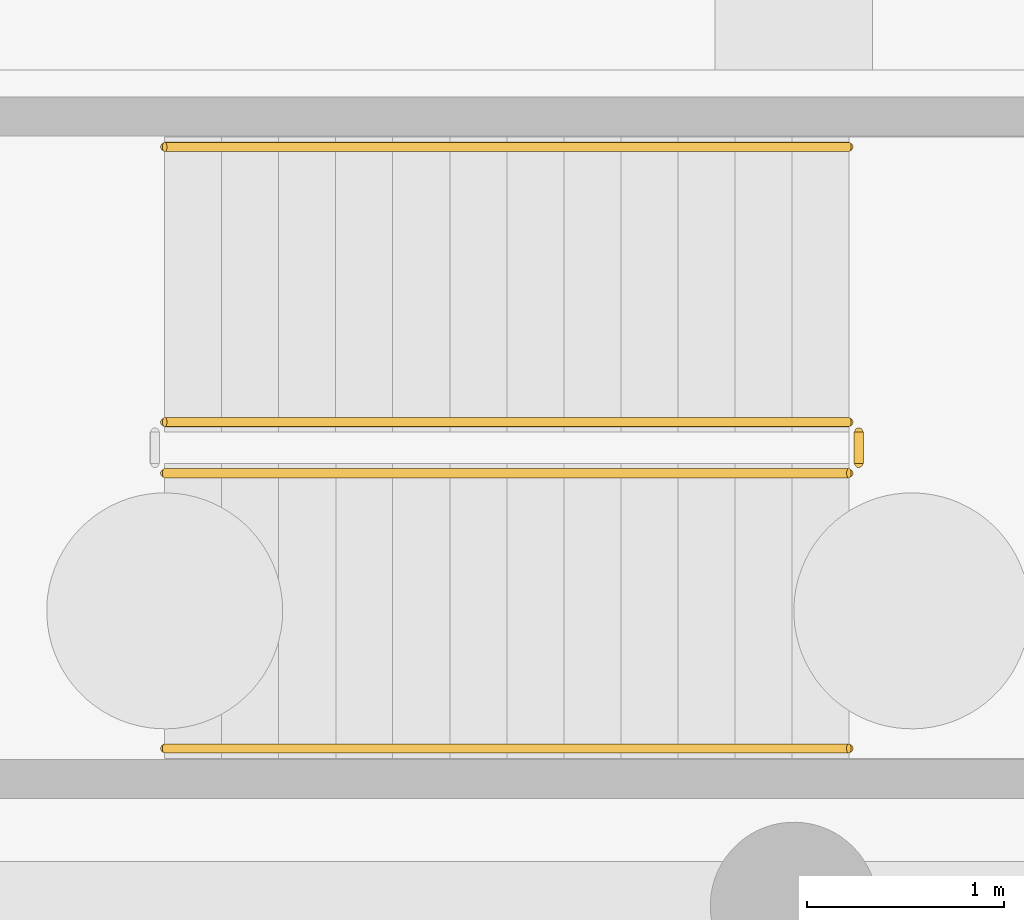
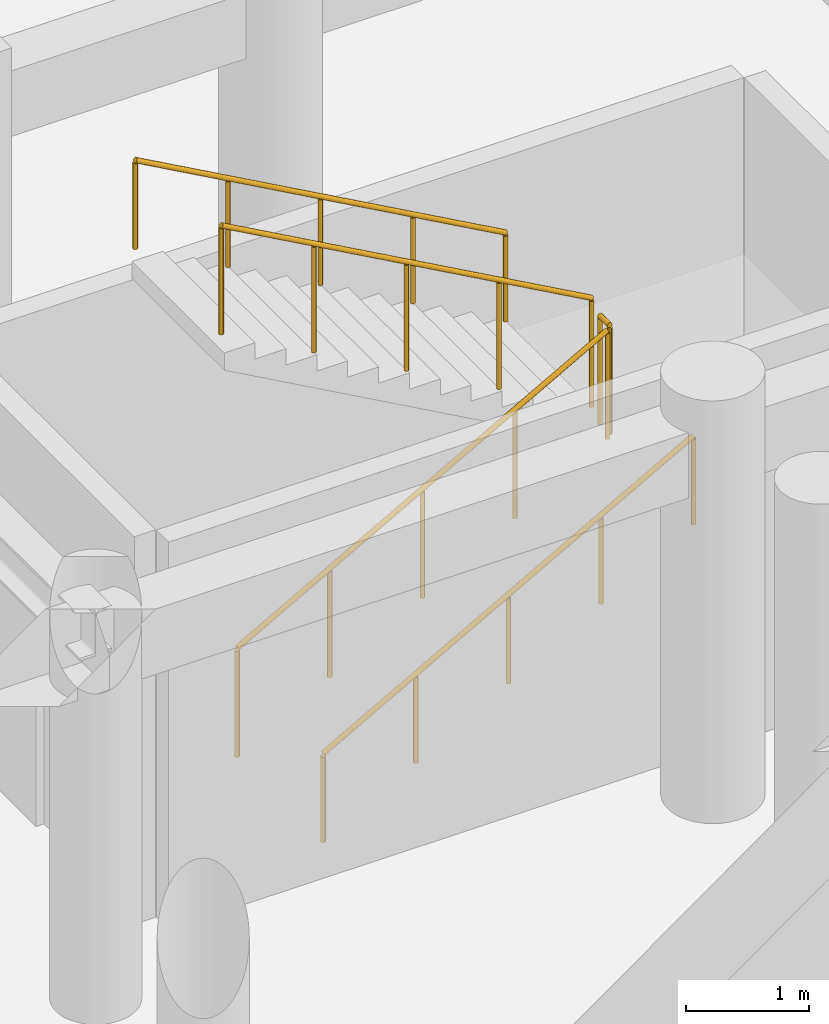
# One storey, part 11 of 13: 5 railings.
"""IFC4 building model written with IfcOpenShell, lengths in metres."""

from ifc_helpers import new_model, si_unit, direction, frame, origin, origin_2d, place, context, subcontext, project, spatial, circle, extrude, material, layer, layer_set, type_object, element, save


model = new_model("IFC4")

# Units and contexts
model_context = context("Model", 3, precision=1e-05, world=origin(), true_north=direction((0.0, 1.0)))
body_context = subcontext(model_context, "Body", "Model", "MODEL_VIEW")
ifc_project = project(units=[si_unit("LENGTHUNIT", "METRE"), si_unit("AREAUNIT", "SQUARE_METRE"), si_unit("VOLUMEUNIT", "CUBIC_METRE"), si_unit("PLANEANGLEUNIT", "RADIAN"), si_unit("MASSUNIT", "GRAM", prefix="KILO")], contexts=[model_context])

# Site, building, storey
site_placement = place(None, origin())
site = spatial("IfcSite", under=ifc_project, at=site_placement, CompositionType="ELEMENT")
building_placement = place(site_placement, origin())
building = spatial("IfcBuilding", under=site, at=building_placement, Name="Karkom Vertical University and Central Library", CompositionType="ELEMENT")
storey_placement = place(building_placement, frame((0.0, 0.0, -8.39990234375)))
storey = spatial("IfcBuildingStorey", under=building, at=storey_placement, Name="B02", CompositionType="ELEMENT", Elevation=-8.39990234375)

# Railings
ifc_material_1 = material(Name="Painted galvanised steel balustrade", Category="steel")
ifc_layer_1 = layer(ifc_material_1, 0.06005859375)
ifc_layer_set_1 = layer_set([ifc_layer_1], Name="Painted galvanised steel balustrade")
railing_type_1 = type_object("IfcRailingType", Name="INT-RL-GUARD1100", PredefinedType="GUARDRAIL", material=ifc_layer_set_1)
railing_1_placement = place(storey_placement, frame((72.199951171875, 7.0, 0.161376953125)))
element("IfcRailing", 1, at=railing_1_placement, inside=storey, type_object=railing_type_1, Name="Basement 02 LIB-ST1 stair guard 1", PredefinedType="GUARDRAIL", context=body_context, shape_type="SweptSolid", body=[
    extrude(circle(Radius=0.02392578125, at=origin_2d()), frame((0.0, 0.0, 1.076171875), z_axis=(0.87360743253, 0.0, 0.486631332559), x_axis=(0.0, 1.0, 0.0)), (0.0, 0.0, 1.0), 3.9833984375),
    extrude(circle(Radius=0.02099609375, at=origin_2d()), origin(), (0.0, 0.0, 1.0), 1.052001953125),
    extrude(circle(Radius=0.02099609375, at=origin_2d()), frame((0.8701171875, 0.0, 0.484619140625)), (0.0, 0.0, 1.0), 1.052001953125),
    extrude(circle(Radius=0.02099609375, at=origin_2d()), frame((1.739990234375, 0.0, 0.96923828125)), (0.0, 0.0, 1.0), 1.052001953125),
    extrude(circle(Radius=0.02099609375, at=origin_2d()), frame((2.60986328125, 0.0, 1.453857421875)), (0.0, 0.0, 1.0), 1.052001953125),
    extrude(circle(Radius=0.02099609375, at=origin_2d()), frame((3.47998046875, 0.0, 1.9384765625)), (0.0, 0.0, 1.0), 1.052001953125),
])
railing_2_placement = place(storey_placement, frame((75.72998046875, 7.050048828125, 2.099853515625)))
element("IfcRailing", 2, at=railing_2_placement, inside=storey, type_object=railing_type_1, Name="Basement 02 LIB-ST1 stair guard 2", PredefinedType="GUARDRAIL", context=body_context, shape_type="SweptSolid", body=[
    extrude(circle(Radius=0.02392578125, at=origin_2d()), frame((0.0, 0.0, 1.076171875), z_axis=(0.0, 1.0, 0.0), x_axis=(-1.0, 0.0, 0.0)), (0.0, 0.0, 1.0), 0.159912109375),
    extrude(circle(Radius=0.02099609375, at=origin_2d()), origin(), (0.0, 0.0, 1.0), 1.052001953125),
    extrude(circle(Radius=0.02099609375, at=origin_2d()), frame((0.0, 0.159912109375, 0.0)), (0.0, 0.0, 1.0), 1.052001953125),
])
railing_3_placement = place(storey_placement, frame((75.679931640625, 7.260009765625, 2.261474609375)))
element("IfcRailing", 3, at=railing_3_placement, inside=storey, type_object=railing_type_1, Name="Basement 02 LIB-ST1 stair guard 3", PredefinedType="GUARDRAIL", context=body_context, shape_type="SweptSolid", body=[
    extrude(circle(Radius=0.02392578125, at=origin_2d()), frame((0.0, 0.0, 1.076171875), z_axis=(-0.87360743253, 0.0, 0.486631332559), x_axis=(0.0, -1.0, 0.0)), (0.0, 0.0, 1.0), 3.9833984375),
    extrude(circle(Radius=0.02099609375, at=origin_2d()), origin(), (0.0, 0.0, 1.0), 1.052001953125),
    extrude(circle(Radius=0.02099609375, at=origin_2d()), frame((-0.8701171875, 0.0, 0.484619140625)), (0.0, 0.0, 1.0), 1.052001953125),
    extrude(circle(Radius=0.02099609375, at=origin_2d()), frame((-1.739990234375, 0.0, 0.96923828125)), (0.0, 0.0, 1.0), 1.052001953125),
    extrude(circle(Radius=0.02099609375, at=origin_2d()), frame((-2.60986328125, 0.0, 1.453857421875)), (0.0, 0.0, 1.0), 1.052001953125),
    extrude(circle(Radius=0.02099609375, at=origin_2d()), frame((-3.47998046875, 0.0, 1.9384765625)), (0.0, 0.0, 1.0), 1.052001953125),
])
ifc_material_2 = material(Name="Brushed stainless-steel tubular handrail", Category="steel")
ifc_layer_2 = layer(ifc_material_2, 0.048095703125)
ifc_layer_set_2 = layer_set([ifc_layer_2], Name="Brushed stainless-steel tubular handrail")
railing_type_2 = type_object("IfcRailingType", Name="INT-RL-HAND920", PredefinedType="HANDRAIL", material=ifc_layer_set_2)
railing_4_placement = place(storey_placement, frame((72.199951171875, 5.60009765625, 0.161376953125)))
element("IfcRailing", 4, at=railing_4_placement, inside=storey, type_object=railing_type_2, Name="Basement 02 LIB-ST1 stair handrail 1", PredefinedType="HANDRAIL", context=body_context, shape_type="SweptSolid", body=[
    extrude(circle(Radius=0.02392578125, at=origin_2d()), frame((0.0, 0.0, 0.8759765625), z_axis=(0.87360743253, 0.0, 0.486631332559), x_axis=(0.0, 1.0, 0.0)), (0.0, 0.0, 1.0), 3.9833984375),
    extrude(circle(Radius=0.02099609375, at=origin_2d()), origin(), (0.0, 0.0, 1.0), 0.851806640625),
    extrude(circle(Radius=0.02099609375, at=origin_2d()), frame((0.8701171875, 0.0, 0.484619140625)), (0.0, 0.0, 1.0), 0.851806640625),
    extrude(circle(Radius=0.02099609375, at=origin_2d()), frame((1.739990234375, 0.0, 0.96923828125)), (0.0, 0.0, 1.0), 0.851806640625),
    extrude(circle(Radius=0.02099609375, at=origin_2d()), frame((2.60986328125, 0.0, 1.453857421875)), (0.0, 0.0, 1.0), 0.851806640625),
    extrude(circle(Radius=0.02099609375, at=origin_2d()), frame((3.47998046875, 0.0, 1.9384765625)), (0.0, 0.0, 1.0), 0.851806640625),
])
railing_5_placement = place(storey_placement, frame((75.679931640625, 8.659912109375, 2.261474609375)))
element("IfcRailing", 5, at=railing_5_placement, inside=storey, type_object=railing_type_2, Name="Basement 02 LIB-ST1 stair handrail 2", PredefinedType="HANDRAIL", context=body_context, shape_type="SweptSolid", body=[
    extrude(circle(Radius=0.02392578125, at=origin_2d()), frame((0.0, 0.0, 0.8759765625), z_axis=(-0.87360743253, 0.0, 0.486631332559), x_axis=(0.0, -1.0, 0.0)), (0.0, 0.0, 1.0), 3.9833984375),
    extrude(circle(Radius=0.02099609375, at=origin_2d()), origin(), (0.0, 0.0, 1.0), 0.851806640625),
    extrude(circle(Radius=0.02099609375, at=origin_2d()), frame((-0.8701171875, 0.0, 0.484619140625)), (0.0, 0.0, 1.0), 0.851806640625),
    extrude(circle(Radius=0.02099609375, at=origin_2d()), frame((-1.739990234375, 0.0, 0.96923828125)), (0.0, 0.0, 1.0), 0.851806640625),
    extrude(circle(Radius=0.02099609375, at=origin_2d()), frame((-2.60986328125, 0.0, 1.453857421875)), (0.0, 0.0, 1.0), 0.851806640625),
    extrude(circle(Radius=0.02099609375, at=origin_2d()), frame((-3.47998046875, 0.0, 1.9384765625)), (0.0, 0.0, 1.0), 0.851806640625),
])

save(model, "model.ifc")
